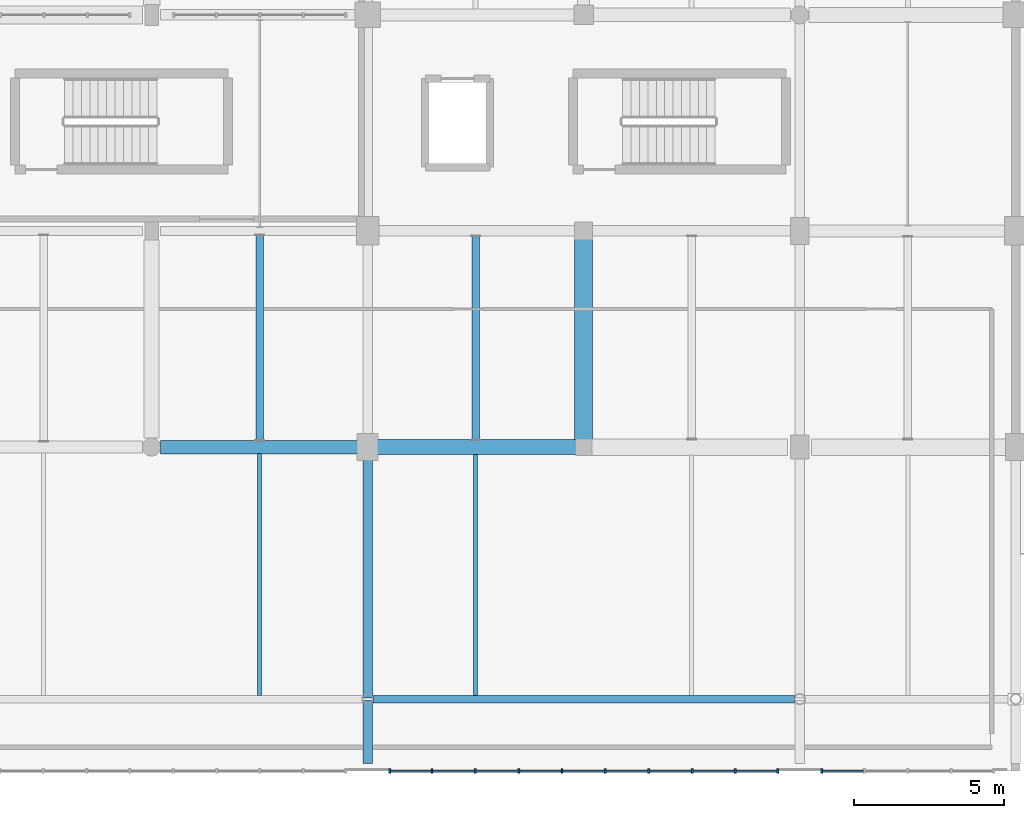
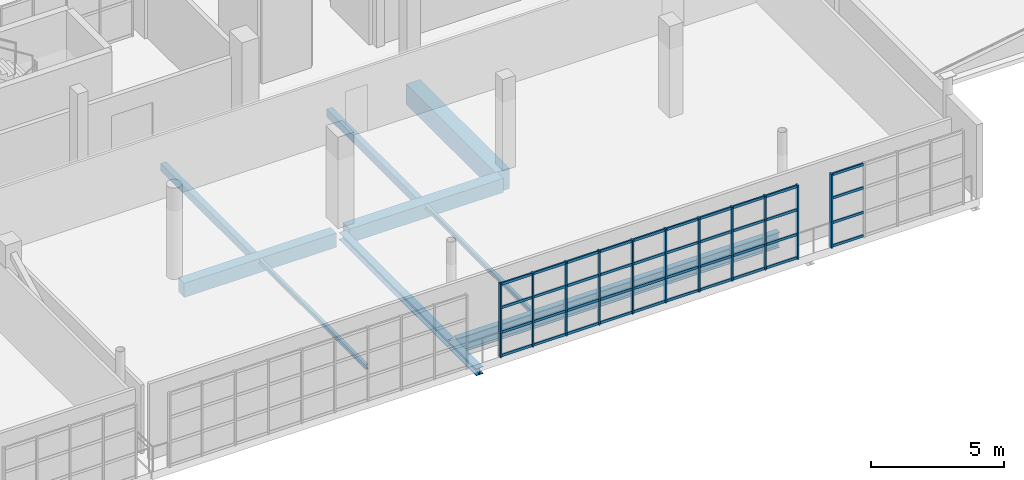
# One storey, part 33 of 90: 51 members, 10 beams, 2 elements without a shape of their own.
"""IFC4 building model written with IfcOpenShell, lengths in metres."""

from ifc_helpers import new_model, si_unit, direction, frame, origin, origin_2d, place, context, subcontext, project, spatial, rectangle, hollow_rectangle, i_section, extrude, material, material_profile, profile_set, type_object, element, aggregate, save


model = new_model("IFC4")

# Units and contexts
model_context = context("Model", 3, precision=1e-05, world=origin(), true_north=direction((0.0, 1.0)))
body_context = subcontext(model_context, "Body", "Model", "MODEL_VIEW")
ifc_project = project(units=[si_unit("LENGTHUNIT", "METRE"), si_unit("AREAUNIT", "SQUARE_METRE"), si_unit("VOLUMEUNIT", "CUBIC_METRE"), si_unit("PLANEANGLEUNIT", "RADIAN"), si_unit("MASSUNIT", "GRAM", prefix="KILO")], contexts=[model_context])

# Site, building, storey
site_placement = place(None, origin())
site = spatial("IfcSite", under=ifc_project, at=site_placement, CompositionType="ELEMENT")
building_placement = place(site_placement, origin())
building = spatial("IfcBuilding", under=site, at=building_placement, Name="Solanera Park Tramway Depot", CompositionType="ELEMENT")
storey_placement = place(building_placement, frame((0.0, 0.0, 9.0)))
storey = spatial("IfcBuildingStorey", under=building, at=storey_placement, Name="L02", CompositionType="ELEMENT", Elevation=9.0)

# Curtain wall, members
ifc_material_1 = material(Name="Bronze-anodised thermally broken aluminium curtain wall", Category="aluminium")
curtain_wall_type = type_object("IfcCurtainWallType", Name="Cantilevered OCC Inclined Glazing Wall", PredefinedType="NOTDEFINED", material=ifc_material_1)
curtain_wall_1_placement = place(storey_placement, origin())
curtain_wall_1 = element("IfcCurtainWall", 1, at=curtain_wall_1_placement, inside=storey, type_object=curtain_wall_type, Name="L02 Cantilevered OCC Inclined Glazing Wall #119", PredefinedType="NOTDEFINED")
ifc_material_2 = material(Name="Bronze-anodised structural aluminium 6063-T6", Category="aluminium")
ifc_material_profile_1 = material_profile(ifc_material_2, rectangle(XDim=0.06494140625, YDim=0.14990234375, at=origin_2d()), Name="Curtain Wall Mullion 65x150")
ifc_profile_set_1 = profile_set([ifc_material_profile_1], Name="Bronze-anodised structural aluminium 6063-T6")
member_type_1 = type_object("IfcMemberType", Name="Curtain Wall Mullion 65x150", PredefinedType="MULLION", material=ifc_profile_set_1)
member_1_placement = place(storey_placement, frame((166.33251953125, 0.0, 0.0), z_axis=(0.0, 0.0, 1.0), x_axis=(1.0, 0.0, 0.0)))
member_1 = element("IfcMember", 2, at=member_1_placement, type_object=member_type_1, Name="CW-L02-119 Mullion 1", PredefinedType="MULLION", context=body_context, shape_type="SweptSolid", body=[
    extrude(rectangle(XDim=0.06494140625, YDim=0.14990234375, at=origin_2d()), origin(), (0.0, 0.0, 1.0), 3.39990234375),
])
member_2_placement = place(storey_placement, frame((167.744384765625, 0.0, 0.0), z_axis=(0.0, 0.0, 1.0), x_axis=(1.0, 0.0, 0.0)))
member_2 = element("IfcMember", 3, at=member_2_placement, type_object=member_type_1, Name="CW-L02-119 Mullion 2", PredefinedType="MULLION", context=body_context, shape_type="SweptSolid", body=[
    extrude(rectangle(XDim=0.06494140625, YDim=0.14990234375, at=origin_2d()), origin(), (0.0, 0.0, 1.0), 3.39990234375),
])
member_3_placement = place(storey_placement, frame((169.18896484375, 0.0, 0.0), z_axis=(0.0, 0.0, 1.0), x_axis=(1.0, 0.0, 0.0)))
member_3 = element("IfcMember", 4, at=member_3_placement, type_object=member_type_1, Name="CW-L02-119 Mullion 3", PredefinedType="MULLION", context=body_context, shape_type="SweptSolid", body=[
    extrude(rectangle(XDim=0.06494140625, YDim=0.14990234375, at=origin_2d()), origin(), (0.0, 0.0, 1.0), 3.39990234375),
])
member_4_placement = place(storey_placement, frame((170.63330078125, 0.0, 0.0), z_axis=(0.0, 0.0, 1.0), x_axis=(1.0, 0.0, 0.0)))
member_4 = element("IfcMember", 5, at=member_4_placement, type_object=member_type_1, Name="CW-L02-119 Mullion 4", PredefinedType="MULLION", context=body_context, shape_type="SweptSolid", body=[
    extrude(rectangle(XDim=0.06494140625, YDim=0.14990234375, at=origin_2d()), origin(), (0.0, 0.0, 1.0), 3.39990234375),
])
member_5_placement = place(storey_placement, frame((172.077880859375, 0.0, 0.0), z_axis=(0.0, 0.0, 1.0), x_axis=(1.0, 0.0, 0.0)))
member_5 = element("IfcMember", 6, at=member_5_placement, type_object=member_type_1, Name="CW-L02-119 Mullion 5", PredefinedType="MULLION", context=body_context, shape_type="SweptSolid", body=[
    extrude(rectangle(XDim=0.06494140625, YDim=0.14990234375, at=origin_2d()), origin(), (0.0, 0.0, 1.0), 3.39990234375),
])
member_6_placement = place(storey_placement, frame((173.522216796875, 0.0, 0.0), z_axis=(0.0, 0.0, 1.0), x_axis=(1.0, 0.0, 0.0)))
member_6 = element("IfcMember", 7, at=member_6_placement, type_object=member_type_1, Name="CW-L02-119 Mullion 6", PredefinedType="MULLION", context=body_context, shape_type="SweptSolid", body=[
    extrude(rectangle(XDim=0.06494140625, YDim=0.14990234375, at=origin_2d()), origin(), (0.0, 0.0, 1.0), 3.39990234375),
])
member_7_placement = place(storey_placement, frame((174.966796875, 0.0, 0.0), z_axis=(0.0, 0.0, 1.0), x_axis=(1.0, 0.0, 0.0)))
member_7 = element("IfcMember", 8, at=member_7_placement, type_object=member_type_1, Name="CW-L02-119 Mullion 7", PredefinedType="MULLION", context=body_context, shape_type="SweptSolid", body=[
    extrude(rectangle(XDim=0.06494140625, YDim=0.14990234375, at=origin_2d()), origin(), (0.0, 0.0, 1.0), 3.39990234375),
])
member_8_placement = place(storey_placement, frame((176.4111328125, 0.0, 0.0), z_axis=(0.0, 0.0, 1.0), x_axis=(1.0, 0.0, 0.0)))
member_8 = element("IfcMember", 9, at=member_8_placement, type_object=member_type_1, Name="CW-L02-119 Mullion 8", PredefinedType="MULLION", context=body_context, shape_type="SweptSolid", body=[
    extrude(rectangle(XDim=0.06494140625, YDim=0.14990234375, at=origin_2d()), origin(), (0.0, 0.0, 1.0), 3.39990234375),
])
member_9_placement = place(storey_placement, frame((177.855712890625, 0.0, 0.0), z_axis=(0.0, 0.0, 1.0), x_axis=(1.0, 0.0, 0.0)))
member_9 = element("IfcMember", 10, at=member_9_placement, type_object=member_type_1, Name="CW-L02-119 Mullion 9", PredefinedType="MULLION", context=body_context, shape_type="SweptSolid", body=[
    extrude(rectangle(XDim=0.06494140625, YDim=0.14990234375, at=origin_2d()), origin(), (0.0, 0.0, 1.0), 3.39990234375),
])
member_10_placement = place(storey_placement, frame((179.267578125, 0.0, 0.0), z_axis=(0.0, 0.0, 1.0), x_axis=(1.0, 0.0, 0.0)))
member_10 = element("IfcMember", 11, at=member_10_placement, type_object=member_type_1, Name="CW-L02-119 Mullion 10", PredefinedType="MULLION", context=body_context, shape_type="SweptSolid", body=[
    extrude(rectangle(XDim=0.06494140625, YDim=0.14990234375, at=origin_2d()), origin(), (0.0, 0.0, 1.0), 3.39990234375),
])

# Curtain wall, member
curtain_wall_2_placement = place(storey_placement, origin())
curtain_wall_2 = element("IfcCurtainWall", 12, at=curtain_wall_2_placement, inside=storey, type_object=curtain_wall_type, Name="L02 Cantilevered OCC Inclined Glazing Wall #120", PredefinedType="NOTDEFINED")
member_11_placement = place(storey_placement, frame((180.732421875, 0.0, 0.0), z_axis=(0.0, 0.0, 1.0), x_axis=(1.0, 0.0, 0.0)))
member_11 = element("IfcMember", 13, at=member_11_placement, type_object=member_type_1, Name="CW-L02-120 Mullion 1", PredefinedType="MULLION", context=body_context, shape_type="SweptSolid", body=[
    extrude(rectangle(XDim=0.06494140625, YDim=0.14990234375, at=origin_2d()), origin(), (0.0, 0.0, 1.0), 3.39990234375),
])

# Member
ifc_material_3 = material(Name="Bronze-anodised structural aluminium 6063-T6", Category="aluminium")
ifc_material_profile_2 = material_profile(ifc_material_3, rectangle(XDim=0.06494140625, YDim=0.1201171875, at=origin_2d()), Name="Curtain Wall Transom 65x120")
ifc_profile_set_2 = profile_set([ifc_material_profile_2], Name="Bronze-anodised structural aluminium 6063-T6")
member_type_2 = type_object("IfcMemberType", Name="Curtain Wall Transom 65x120", PredefinedType="USERDEFINED", material=ifc_profile_set_2)
member_12_placement = place(storey_placement, frame((166.360595703125, 0.0, 0.06005859375), z_axis=(1.0, 0.0, 0.0), x_axis=(0.0, 1.0, 0.0)))
member_12 = element("IfcMember", 14, at=member_12_placement, type_object=member_type_2, Name="CW-L02-119 Transom R1.C1", ObjectType="TRANSOM", PredefinedType="USERDEFINED", context=body_context, shape_type="SweptSolid", body=[
    extrude(rectangle(XDim=0.06494140625, YDim=0.1201171875, at=origin_2d()), origin(), (0.0, 0.0, 1.0), 1.355712890625),
])

member_13_placement = place(storey_placement, frame((167.7724609375, 0.0, 0.06005859375), z_axis=(1.0, 0.0, 0.0), x_axis=(0.0, 1.0, 0.0)))
member_13 = element("IfcMember", 15, at=member_13_placement, type_object=member_type_2, Name="CW-L02-119 Transom R1.C2", ObjectType="TRANSOM", PredefinedType="USERDEFINED", context=body_context, shape_type="SweptSolid", body=[
    extrude(rectangle(XDim=0.06494140625, YDim=0.1201171875, at=origin_2d()), origin(), (0.0, 0.0, 1.0), 1.388427734375),
])

member_14_placement = place(storey_placement, frame((169.216796875, 0.0, 0.06005859375), z_axis=(1.0, 0.0, 0.0), x_axis=(0.0, 1.0, 0.0)))
member_14 = element("IfcMember", 16, at=member_14_placement, type_object=member_type_2, Name="CW-L02-119 Transom R1.C3", ObjectType="TRANSOM", PredefinedType="USERDEFINED", context=body_context, shape_type="SweptSolid", body=[
    extrude(rectangle(XDim=0.06494140625, YDim=0.1201171875, at=origin_2d()), origin(), (0.0, 0.0, 1.0), 1.388427734375),
])

member_15_placement = place(storey_placement, frame((170.661376953125, 0.0, 0.06005859375), z_axis=(1.0, 0.0, 0.0), x_axis=(0.0, 1.0, 0.0)))
member_15 = element("IfcMember", 17, at=member_15_placement, type_object=member_type_2, Name="CW-L02-119 Transom R1.C4", ObjectType="TRANSOM", PredefinedType="USERDEFINED", context=body_context, shape_type="SweptSolid", body=[
    extrude(rectangle(XDim=0.06494140625, YDim=0.1201171875, at=origin_2d()), origin(), (0.0, 0.0, 1.0), 1.388427734375),
])

member_16_placement = place(storey_placement, frame((172.105712890625, 0.0, 0.06005859375), z_axis=(1.0, 0.0, 0.0), x_axis=(0.0, 1.0, 0.0)))
member_16 = element("IfcMember", 18, at=member_16_placement, type_object=member_type_2, Name="CW-L02-119 Transom R1.C5", ObjectType="TRANSOM", PredefinedType="USERDEFINED", context=body_context, shape_type="SweptSolid", body=[
    extrude(rectangle(XDim=0.06494140625, YDim=0.1201171875, at=origin_2d()), origin(), (0.0, 0.0, 1.0), 1.388427734375),
])

member_17_placement = place(storey_placement, frame((173.55029296875, 0.0, 0.06005859375), z_axis=(1.0, 0.0, 0.0), x_axis=(0.0, 1.0, 0.0)))
member_17 = element("IfcMember", 19, at=member_17_placement, type_object=member_type_2, Name="CW-L02-119 Transom R1.C6", ObjectType="TRANSOM", PredefinedType="USERDEFINED", context=body_context, shape_type="SweptSolid", body=[
    extrude(rectangle(XDim=0.06494140625, YDim=0.1201171875, at=origin_2d()), origin(), (0.0, 0.0, 1.0), 1.388427734375),
])

member_18_placement = place(storey_placement, frame((174.99462890625, 0.0, 0.06005859375), z_axis=(1.0, 0.0, 0.0), x_axis=(0.0, 1.0, 0.0)))
member_18 = element("IfcMember", 20, at=member_18_placement, type_object=member_type_2, Name="CW-L02-119 Transom R1.C7", ObjectType="TRANSOM", PredefinedType="USERDEFINED", context=body_context, shape_type="SweptSolid", body=[
    extrude(rectangle(XDim=0.06494140625, YDim=0.1201171875, at=origin_2d()), origin(), (0.0, 0.0, 1.0), 1.388427734375),
])

member_19_placement = place(storey_placement, frame((176.439208984375, 0.0, 0.06005859375), z_axis=(1.0, 0.0, 0.0), x_axis=(0.0, 1.0, 0.0)))
member_19 = element("IfcMember", 21, at=member_19_placement, type_object=member_type_2, Name="CW-L02-119 Transom R1.C8", ObjectType="TRANSOM", PredefinedType="USERDEFINED", context=body_context, shape_type="SweptSolid", body=[
    extrude(rectangle(XDim=0.06494140625, YDim=0.1201171875, at=origin_2d()), origin(), (0.0, 0.0, 1.0), 1.388427734375),
])

member_20_placement = place(storey_placement, frame((177.883544921875, 0.0, 0.06005859375), z_axis=(1.0, 0.0, 0.0), x_axis=(0.0, 1.0, 0.0)))
member_20 = element("IfcMember", 22, at=member_20_placement, type_object=member_type_2, Name="CW-L02-119 Transom R1.C9", ObjectType="TRANSOM", PredefinedType="USERDEFINED", context=body_context, shape_type="SweptSolid", body=[
    extrude(rectangle(XDim=0.06494140625, YDim=0.1201171875, at=origin_2d()), origin(), (0.0, 0.0, 1.0), 1.35595703125),
])

member_21_placement = place(storey_placement, frame((166.360595703125, 0.0, 1.13330078125), z_axis=(1.0, 0.0, 0.0), x_axis=(0.0, 1.0, 0.0)))
member_21 = element("IfcMember", 23, at=member_21_placement, type_object=member_type_2, Name="CW-L02-119 Transom R2.C1", ObjectType="TRANSOM", PredefinedType="USERDEFINED", context=body_context, shape_type="SweptSolid", body=[
    extrude(rectangle(XDim=0.06494140625, YDim=0.1201171875, at=origin_2d()), origin(), (0.0, 0.0, 1.0), 1.355712890625),
])

member_22_placement = place(storey_placement, frame((167.7724609375, 0.0, 1.13330078125), z_axis=(1.0, 0.0, 0.0), x_axis=(0.0, 1.0, 0.0)))
member_22 = element("IfcMember", 24, at=member_22_placement, type_object=member_type_2, Name="CW-L02-119 Transom R2.C2", ObjectType="TRANSOM", PredefinedType="USERDEFINED", context=body_context, shape_type="SweptSolid", body=[
    extrude(rectangle(XDim=0.06494140625, YDim=0.1201171875, at=origin_2d()), origin(), (0.0, 0.0, 1.0), 1.388427734375),
])

member_23_placement = place(storey_placement, frame((169.216796875, 0.0, 1.13330078125), z_axis=(1.0, 0.0, 0.0), x_axis=(0.0, 1.0, 0.0)))
member_23 = element("IfcMember", 25, at=member_23_placement, type_object=member_type_2, Name="CW-L02-119 Transom R2.C3", ObjectType="TRANSOM", PredefinedType="USERDEFINED", context=body_context, shape_type="SweptSolid", body=[
    extrude(rectangle(XDim=0.06494140625, YDim=0.1201171875, at=origin_2d()), origin(), (0.0, 0.0, 1.0), 1.388427734375),
])

member_24_placement = place(storey_placement, frame((170.661376953125, 0.0, 1.13330078125), z_axis=(1.0, 0.0, 0.0), x_axis=(0.0, 1.0, 0.0)))
member_24 = element("IfcMember", 26, at=member_24_placement, type_object=member_type_2, Name="CW-L02-119 Transom R2.C4", ObjectType="TRANSOM", PredefinedType="USERDEFINED", context=body_context, shape_type="SweptSolid", body=[
    extrude(rectangle(XDim=0.06494140625, YDim=0.1201171875, at=origin_2d()), origin(), (0.0, 0.0, 1.0), 1.388427734375),
])

member_25_placement = place(storey_placement, frame((172.105712890625, 0.0, 1.13330078125), z_axis=(1.0, 0.0, 0.0), x_axis=(0.0, 1.0, 0.0)))
member_25 = element("IfcMember", 27, at=member_25_placement, type_object=member_type_2, Name="CW-L02-119 Transom R2.C5", ObjectType="TRANSOM", PredefinedType="USERDEFINED", context=body_context, shape_type="SweptSolid", body=[
    extrude(rectangle(XDim=0.06494140625, YDim=0.1201171875, at=origin_2d()), origin(), (0.0, 0.0, 1.0), 1.388427734375),
])

member_26_placement = place(storey_placement, frame((173.55029296875, 0.0, 1.13330078125), z_axis=(1.0, 0.0, 0.0), x_axis=(0.0, 1.0, 0.0)))
member_26 = element("IfcMember", 28, at=member_26_placement, type_object=member_type_2, Name="CW-L02-119 Transom R2.C6", ObjectType="TRANSOM", PredefinedType="USERDEFINED", context=body_context, shape_type="SweptSolid", body=[
    extrude(rectangle(XDim=0.06494140625, YDim=0.1201171875, at=origin_2d()), origin(), (0.0, 0.0, 1.0), 1.388427734375),
])

member_27_placement = place(storey_placement, frame((174.99462890625, 0.0, 1.13330078125), z_axis=(1.0, 0.0, 0.0), x_axis=(0.0, 1.0, 0.0)))
member_27 = element("IfcMember", 29, at=member_27_placement, type_object=member_type_2, Name="CW-L02-119 Transom R2.C7", ObjectType="TRANSOM", PredefinedType="USERDEFINED", context=body_context, shape_type="SweptSolid", body=[
    extrude(rectangle(XDim=0.06494140625, YDim=0.1201171875, at=origin_2d()), origin(), (0.0, 0.0, 1.0), 1.388427734375),
])

member_28_placement = place(storey_placement, frame((176.439208984375, 0.0, 1.13330078125), z_axis=(1.0, 0.0, 0.0), x_axis=(0.0, 1.0, 0.0)))
member_28 = element("IfcMember", 30, at=member_28_placement, type_object=member_type_2, Name="CW-L02-119 Transom R2.C8", ObjectType="TRANSOM", PredefinedType="USERDEFINED", context=body_context, shape_type="SweptSolid", body=[
    extrude(rectangle(XDim=0.06494140625, YDim=0.1201171875, at=origin_2d()), origin(), (0.0, 0.0, 1.0), 1.388427734375),
])

member_29_placement = place(storey_placement, frame((177.883544921875, 0.0, 1.13330078125), z_axis=(1.0, 0.0, 0.0), x_axis=(0.0, 1.0, 0.0)))
member_29 = element("IfcMember", 31, at=member_29_placement, type_object=member_type_2, Name="CW-L02-119 Transom R2.C9", ObjectType="TRANSOM", PredefinedType="USERDEFINED", context=body_context, shape_type="SweptSolid", body=[
    extrude(rectangle(XDim=0.06494140625, YDim=0.1201171875, at=origin_2d()), origin(), (0.0, 0.0, 1.0), 1.35595703125),
])

member_30_placement = place(storey_placement, frame((166.360595703125, 0.0, 2.2666015625), z_axis=(1.0, 0.0, 0.0), x_axis=(0.0, 1.0, 0.0)))
member_30 = element("IfcMember", 32, at=member_30_placement, type_object=member_type_2, Name="CW-L02-119 Transom R3.C1", ObjectType="TRANSOM", PredefinedType="USERDEFINED", context=body_context, shape_type="SweptSolid", body=[
    extrude(rectangle(XDim=0.06494140625, YDim=0.1201171875, at=origin_2d()), origin(), (0.0, 0.0, 1.0), 1.355712890625),
])

member_31_placement = place(storey_placement, frame((167.7724609375, 0.0, 2.2666015625), z_axis=(1.0, 0.0, 0.0), x_axis=(0.0, 1.0, 0.0)))
member_31 = element("IfcMember", 33, at=member_31_placement, type_object=member_type_2, Name="CW-L02-119 Transom R3.C2", ObjectType="TRANSOM", PredefinedType="USERDEFINED", context=body_context, shape_type="SweptSolid", body=[
    extrude(rectangle(XDim=0.06494140625, YDim=0.1201171875, at=origin_2d()), origin(), (0.0, 0.0, 1.0), 1.388427734375),
])

member_32_placement = place(storey_placement, frame((169.216796875, 0.0, 2.2666015625), z_axis=(1.0, 0.0, 0.0), x_axis=(0.0, 1.0, 0.0)))
member_32 = element("IfcMember", 34, at=member_32_placement, type_object=member_type_2, Name="CW-L02-119 Transom R3.C3", ObjectType="TRANSOM", PredefinedType="USERDEFINED", context=body_context, shape_type="SweptSolid", body=[
    extrude(rectangle(XDim=0.06494140625, YDim=0.1201171875, at=origin_2d()), origin(), (0.0, 0.0, 1.0), 1.388427734375),
])

member_33_placement = place(storey_placement, frame((170.661376953125, 0.0, 2.2666015625), z_axis=(1.0, 0.0, 0.0), x_axis=(0.0, 1.0, 0.0)))
member_33 = element("IfcMember", 35, at=member_33_placement, type_object=member_type_2, Name="CW-L02-119 Transom R3.C4", ObjectType="TRANSOM", PredefinedType="USERDEFINED", context=body_context, shape_type="SweptSolid", body=[
    extrude(rectangle(XDim=0.06494140625, YDim=0.1201171875, at=origin_2d()), origin(), (0.0, 0.0, 1.0), 1.388427734375),
])

member_34_placement = place(storey_placement, frame((172.105712890625, 0.0, 2.2666015625), z_axis=(1.0, 0.0, 0.0), x_axis=(0.0, 1.0, 0.0)))
member_34 = element("IfcMember", 36, at=member_34_placement, type_object=member_type_2, Name="CW-L02-119 Transom R3.C5", ObjectType="TRANSOM", PredefinedType="USERDEFINED", context=body_context, shape_type="SweptSolid", body=[
    extrude(rectangle(XDim=0.06494140625, YDim=0.1201171875, at=origin_2d()), origin(), (0.0, 0.0, 1.0), 1.388427734375),
])

member_35_placement = place(storey_placement, frame((173.55029296875, 0.0, 2.2666015625), z_axis=(1.0, 0.0, 0.0), x_axis=(0.0, 1.0, 0.0)))
member_35 = element("IfcMember", 37, at=member_35_placement, type_object=member_type_2, Name="CW-L02-119 Transom R3.C6", ObjectType="TRANSOM", PredefinedType="USERDEFINED", context=body_context, shape_type="SweptSolid", body=[
    extrude(rectangle(XDim=0.06494140625, YDim=0.1201171875, at=origin_2d()), origin(), (0.0, 0.0, 1.0), 1.388427734375),
])

member_36_placement = place(storey_placement, frame((174.99462890625, 0.0, 2.2666015625), z_axis=(1.0, 0.0, 0.0), x_axis=(0.0, 1.0, 0.0)))
member_36 = element("IfcMember", 38, at=member_36_placement, type_object=member_type_2, Name="CW-L02-119 Transom R3.C7", ObjectType="TRANSOM", PredefinedType="USERDEFINED", context=body_context, shape_type="SweptSolid", body=[
    extrude(rectangle(XDim=0.06494140625, YDim=0.1201171875, at=origin_2d()), origin(), (0.0, 0.0, 1.0), 1.388427734375),
])

member_37_placement = place(storey_placement, frame((176.439208984375, 0.0, 2.2666015625), z_axis=(1.0, 0.0, 0.0), x_axis=(0.0, 1.0, 0.0)))
member_37 = element("IfcMember", 39, at=member_37_placement, type_object=member_type_2, Name="CW-L02-119 Transom R3.C8", ObjectType="TRANSOM", PredefinedType="USERDEFINED", context=body_context, shape_type="SweptSolid", body=[
    extrude(rectangle(XDim=0.06494140625, YDim=0.1201171875, at=origin_2d()), origin(), (0.0, 0.0, 1.0), 1.388427734375),
])

member_38_placement = place(storey_placement, frame((177.883544921875, 0.0, 2.2666015625), z_axis=(1.0, 0.0, 0.0), x_axis=(0.0, 1.0, 0.0)))
member_38 = element("IfcMember", 40, at=member_38_placement, type_object=member_type_2, Name="CW-L02-119 Transom R3.C9", ObjectType="TRANSOM", PredefinedType="USERDEFINED", context=body_context, shape_type="SweptSolid", body=[
    extrude(rectangle(XDim=0.06494140625, YDim=0.1201171875, at=origin_2d()), origin(), (0.0, 0.0, 1.0), 1.35595703125),
])

member_39_placement = place(storey_placement, frame((166.360595703125, 0.0, 3.340087890625), z_axis=(1.0, 0.0, 0.0), x_axis=(0.0, 1.0, 0.0)))
member_39 = element("IfcMember", 41, at=member_39_placement, type_object=member_type_2, Name="CW-L02-119 Transom R4.C1", ObjectType="TRANSOM", PredefinedType="USERDEFINED", context=body_context, shape_type="SweptSolid", body=[
    extrude(rectangle(XDim=0.06494140625, YDim=0.1201171875, at=origin_2d()), origin(), (0.0, 0.0, 1.0), 1.355712890625),
])

member_40_placement = place(storey_placement, frame((167.7724609375, 0.0, 3.340087890625), z_axis=(1.0, 0.0, 0.0), x_axis=(0.0, 1.0, 0.0)))
member_40 = element("IfcMember", 42, at=member_40_placement, type_object=member_type_2, Name="CW-L02-119 Transom R4.C2", ObjectType="TRANSOM", PredefinedType="USERDEFINED", context=body_context, shape_type="SweptSolid", body=[
    extrude(rectangle(XDim=0.06494140625, YDim=0.1201171875, at=origin_2d()), origin(), (0.0, 0.0, 1.0), 1.388427734375),
])

member_41_placement = place(storey_placement, frame((169.216796875, 0.0, 3.340087890625), z_axis=(1.0, 0.0, 0.0), x_axis=(0.0, 1.0, 0.0)))
member_41 = element("IfcMember", 43, at=member_41_placement, type_object=member_type_2, Name="CW-L02-119 Transom R4.C3", ObjectType="TRANSOM", PredefinedType="USERDEFINED", context=body_context, shape_type="SweptSolid", body=[
    extrude(rectangle(XDim=0.06494140625, YDim=0.1201171875, at=origin_2d()), origin(), (0.0, 0.0, 1.0), 1.388427734375),
])

member_42_placement = place(storey_placement, frame((170.661376953125, 0.0, 3.340087890625), z_axis=(1.0, 0.0, 0.0), x_axis=(0.0, 1.0, 0.0)))
member_42 = element("IfcMember", 44, at=member_42_placement, type_object=member_type_2, Name="CW-L02-119 Transom R4.C4", ObjectType="TRANSOM", PredefinedType="USERDEFINED", context=body_context, shape_type="SweptSolid", body=[
    extrude(rectangle(XDim=0.06494140625, YDim=0.1201171875, at=origin_2d()), origin(), (0.0, 0.0, 1.0), 1.388427734375),
])

member_43_placement = place(storey_placement, frame((172.105712890625, 0.0, 3.340087890625), z_axis=(1.0, 0.0, 0.0), x_axis=(0.0, 1.0, 0.0)))
member_43 = element("IfcMember", 45, at=member_43_placement, type_object=member_type_2, Name="CW-L02-119 Transom R4.C5", ObjectType="TRANSOM", PredefinedType="USERDEFINED", context=body_context, shape_type="SweptSolid", body=[
    extrude(rectangle(XDim=0.06494140625, YDim=0.1201171875, at=origin_2d()), origin(), (0.0, 0.0, 1.0), 1.388427734375),
])

member_44_placement = place(storey_placement, frame((173.55029296875, 0.0, 3.340087890625), z_axis=(1.0, 0.0, 0.0), x_axis=(0.0, 1.0, 0.0)))
member_44 = element("IfcMember", 46, at=member_44_placement, type_object=member_type_2, Name="CW-L02-119 Transom R4.C6", ObjectType="TRANSOM", PredefinedType="USERDEFINED", context=body_context, shape_type="SweptSolid", body=[
    extrude(rectangle(XDim=0.06494140625, YDim=0.1201171875, at=origin_2d()), origin(), (0.0, 0.0, 1.0), 1.388427734375),
])

member_45_placement = place(storey_placement, frame((174.99462890625, 0.0, 3.340087890625), z_axis=(1.0, 0.0, 0.0), x_axis=(0.0, 1.0, 0.0)))
member_45 = element("IfcMember", 47, at=member_45_placement, type_object=member_type_2, Name="CW-L02-119 Transom R4.C7", ObjectType="TRANSOM", PredefinedType="USERDEFINED", context=body_context, shape_type="SweptSolid", body=[
    extrude(rectangle(XDim=0.06494140625, YDim=0.1201171875, at=origin_2d()), origin(), (0.0, 0.0, 1.0), 1.388427734375),
])

member_46_placement = place(storey_placement, frame((176.439208984375, 0.0, 3.340087890625), z_axis=(1.0, 0.0, 0.0), x_axis=(0.0, 1.0, 0.0)))
member_46 = element("IfcMember", 48, at=member_46_placement, type_object=member_type_2, Name="CW-L02-119 Transom R4.C8", ObjectType="TRANSOM", PredefinedType="USERDEFINED", context=body_context, shape_type="SweptSolid", body=[
    extrude(rectangle(XDim=0.06494140625, YDim=0.1201171875, at=origin_2d()), origin(), (0.0, 0.0, 1.0), 1.388427734375),
])

member_47_placement = place(storey_placement, frame((177.883544921875, 0.0, 3.340087890625), z_axis=(1.0, 0.0, 0.0), x_axis=(0.0, 1.0, 0.0)))
member_47 = element("IfcMember", 49, at=member_47_placement, type_object=member_type_2, Name="CW-L02-119 Transom R4.C9", ObjectType="TRANSOM", PredefinedType="USERDEFINED", context=body_context, shape_type="SweptSolid", body=[
    extrude(rectangle(XDim=0.06494140625, YDim=0.1201171875, at=origin_2d()), origin(), (0.0, 0.0, 1.0), 1.35595703125),
])

aggregate(curtain_wall_1, [member_1, member_2, member_3, member_4, member_5, member_6, member_7, member_8, member_9, member_10, member_12, member_13, member_14, member_15, member_16, member_17, member_18, member_19, member_20, member_21, member_22, member_23, member_24, member_25, member_26, member_27, member_28, member_29, member_30, member_31, member_32, member_33, member_34, member_35, member_36, member_37, member_38, member_39, member_40, member_41, member_42, member_43, member_44, member_45, member_46, member_47])

member_48_placement = place(storey_placement, frame((180.760498046875, 0.0, 0.06005859375), z_axis=(1.0, 0.0, 0.0), x_axis=(0.0, 1.0, 0.0)))
member_48 = element("IfcMember", 50, at=member_48_placement, type_object=member_type_2, Name="CW-L02-120 Transom R1.C1", ObjectType="TRANSOM", PredefinedType="USERDEFINED", context=body_context, shape_type="SweptSolid", body=[
    extrude(rectangle(XDim=0.06494140625, YDim=0.1201171875, at=origin_2d()), origin(), (0.0, 0.0, 1.0), 1.361572265625),
])

member_49_placement = place(storey_placement, frame((180.760498046875, 0.0, 1.13330078125), z_axis=(1.0, 0.0, 0.0), x_axis=(0.0, 1.0, 0.0)))
member_49 = element("IfcMember", 51, at=member_49_placement, type_object=member_type_2, Name="CW-L02-120 Transom R2.C1", ObjectType="TRANSOM", PredefinedType="USERDEFINED", context=body_context, shape_type="SweptSolid", body=[
    extrude(rectangle(XDim=0.06494140625, YDim=0.1201171875, at=origin_2d()), origin(), (0.0, 0.0, 1.0), 1.361572265625),
])

member_50_placement = place(storey_placement, frame((180.760498046875, 0.0, 2.2666015625), z_axis=(1.0, 0.0, 0.0), x_axis=(0.0, 1.0, 0.0)))
member_50 = element("IfcMember", 52, at=member_50_placement, type_object=member_type_2, Name="CW-L02-120 Transom R3.C1", ObjectType="TRANSOM", PredefinedType="USERDEFINED", context=body_context, shape_type="SweptSolid", body=[
    extrude(rectangle(XDim=0.06494140625, YDim=0.1201171875, at=origin_2d()), origin(), (0.0, 0.0, 1.0), 1.361572265625),
])

member_51_placement = place(storey_placement, frame((180.760498046875, 0.0, 3.340087890625), z_axis=(1.0, 0.0, 0.0), x_axis=(0.0, 1.0, 0.0)))
member_51 = element("IfcMember", 53, at=member_51_placement, type_object=member_type_2, Name="CW-L02-120 Transom R4.C1", ObjectType="TRANSOM", PredefinedType="USERDEFINED", context=body_context, shape_type="SweptSolid", body=[
    extrude(rectangle(XDim=0.06494140625, YDim=0.1201171875, at=origin_2d()), origin(), (0.0, 0.0, 1.0), 1.361572265625),
])

aggregate(curtain_wall_2, [member_11, member_48, member_49, member_50, member_51])

# Beams
ifc_material_4 = material(Name="Concrete N40 (C40/50)", Category="concrete")
ifc_material_profile_3 = material_profile(ifc_material_4, rectangle(XDim=0.449951171875, YDim=0.64990234375, at=origin_2d()), Name="RCB 450x650")
ifc_profile_set_3 = profile_set([ifc_material_profile_3], Name="Concrete N40 (C40/50)")
beam_type_1 = type_object("IfcBeamType", Name="RC Floor Beam RCB 450x650", PredefinedType="BEAM", material=ifc_profile_set_3)
beam_1_placement = place(storey_placement, frame((158.699951171875, 10.800048828125, -0.68896484375), z_axis=(1.0, 0.0, 0.0), x_axis=(0.0, 1.0, 0.0)))
element("IfcBeam", 54, at=beam_1_placement, inside=storey, type_object=beam_type_1, Name="L02 Primary X-Girder RCB 450x650 #0105", PredefinedType="BEAM", context=body_context, shape_type="SweptSolid", body=[
    extrude(rectangle(XDim=0.449951171875, YDim=0.64990234375, at=origin_2d()), origin(), (0.0, 0.0, 1.0), 6.625),
])
ifc_material_5 = material(Name="Concrete N40 (C40/50)", Category="concrete")
ifc_material_profile_4 = material_profile(ifc_material_5, rectangle(XDim=0.5, YDim=0.64990234375, at=origin_2d()), Name="RCB 500x650")
ifc_profile_set_4 = profile_set([ifc_material_profile_4], Name="Concrete N40 (C40/50)")
beam_type_2 = type_object("IfcBeamType", Name="RC Floor Beam RCB 500x650", PredefinedType="BEAM", material=ifc_profile_set_4)
beam_2_placement = place(storey_placement, frame((165.875, 10.800048828125, -0.68896484375), z_axis=(1.0, 0.0, 0.0), x_axis=(0.0, 1.0, 0.0)))
element("IfcBeam", 55, at=beam_2_placement, inside=storey, type_object=beam_type_2, Name="L02 Primary X-Girder RCB 500x650 #0106", PredefinedType="BEAM", context=body_context, shape_type="SweptSolid", body=[
    extrude(rectangle(XDim=0.5, YDim=0.64990234375, at=origin_2d()), origin(), (0.0, 0.0, 1.0), 6.699951171875),
])
ifc_material_6 = material(Name="Concrete N40 (C40/50)", Category="concrete")
ifc_material_profile_5 = material_profile(ifc_material_6, rectangle(XDim=0.60009765625, YDim=0.949951171875, at=origin_2d()), Name="RCB 600x950")
ifc_profile_set_5 = profile_set([ifc_material_profile_5], Name="Concrete N40 (C40/50)")
beam_type_3 = type_object("IfcBeamType", Name="RC Floor Beam RCB 600x950", PredefinedType="BEAM", material=ifc_profile_set_5)
beam_3_placement = place(storey_placement, frame((172.800048828125, 11.02490234375, -0.839111328125), z_axis=(0.0, 1.0, 0.0), x_axis=(-1.0, 0.0, 0.0)))
element("IfcBeam", 56, at=beam_3_placement, inside=storey, type_object=beam_type_3, Name="L02 Primary Y-Girder RCB 600x950 #0151", PredefinedType="BEAM", context=body_context, shape_type="SweptSolid", body=[
    extrude(rectangle(XDim=0.60009765625, YDim=0.949951171875, at=origin_2d()), origin(), (0.0, 0.0, 1.0), 6.72509765625),
])
ifc_material_7 = material(Name="Steel AS/NZS 3679.1 Grade 350", Category="steel")
ifc_material_profile_6 = material_profile(ifc_material_7, i_section(OverallWidth=0.310546875, OverallDepth=0.3271484375, WebThickness=0.015625, FlangeThickness=0.02490234375, at=origin_2d()), Name="310UC158")
ifc_profile_set_6 = profile_set([ifc_material_profile_6], Name="Steel AS/NZS 3679.1 Grade 350")
beam_type_4 = type_object("IfcBeamType", Name="Steel Beam 310UC158", PredefinedType="BEAM", material=ifc_profile_set_6)
beam_4_placement = place(storey_placement, frame((165.60009765625, 0.25, -0.550048828125), z_axis=(0.0, 1.0, 0.0), x_axis=(-1.0, 0.0, 0.0)))
element("IfcBeam", 57, at=beam_4_placement, inside=storey, type_object=beam_type_4, Name="L02 Transfer Truss Nose Cantilever 310UC158 #0330", PredefinedType="BEAM", context=body_context, shape_type="SweptSolid", body=[
    extrude(i_section(OverallWidth=0.310546875, OverallDepth=0.3271484375, WebThickness=0.015625, FlangeThickness=0.02490234375, at=origin_2d()), origin(), (0.0, 0.0, 1.0), 2.110107421875),
])
beam_5_placement = place(storey_placement, frame((165.60009765625, 2.43994140625, -0.550048828125), z_axis=(0.0, 1.0, 0.0), x_axis=(-1.0, 0.0, 0.0)))
element("IfcBeam", 58, at=beam_5_placement, inside=storey, type_object=beam_type_4, Name="L02 Transfer Truss Overhang Chord 310UC158 #0331", PredefinedType="BEAM", context=body_context, shape_type="SweptSolid", body=[
    extrude(i_section(OverallWidth=0.310546875, OverallDepth=0.3271484375, WebThickness=0.015625, FlangeThickness=0.02490234375, at=origin_2d()), origin(), (0.0, 0.0, 1.0), 8.16015625),
])
ifc_material_8 = material(Name="Steel AS/NZS 3679.1 Grade 350", Category="steel")
ifc_material_profile_7 = material_profile(ifc_material_8, i_section(OverallWidth=0.25, OverallDepth=0.699951171875, WebThickness=0.010009765625, FlangeThickness=0.02001953125, at=origin_2d()), Name="700WB130")
ifc_profile_set_7 = profile_set([ifc_material_profile_7], Name="Steel AS/NZS 3679.1 Grade 350")
beam_type_5 = type_object("IfcBeamType", Name="Steel Beam 700WB130", PredefinedType="BEAM", material=ifc_profile_set_7)
beam_6_placement = place(storey_placement, frame((165.780029296875, 2.39990234375, -0.715087890625), z_axis=(1.0, 0.0, 0.0), x_axis=(0.0, 1.0, 0.0)))
element("IfcBeam", 59, at=beam_6_placement, inside=storey, type_object=beam_type_5, Name="L02 Head-Block Transfer Tie Girder 700WB130 #0363", PredefinedType="BEAM", context=body_context, shape_type="SweptSolid", body=[
    extrude(i_section(OverallWidth=0.25, OverallDepth=0.699951171875, WebThickness=0.010009765625, FlangeThickness=0.02001953125, at=origin_2d()), origin(), (0.0, 0.0, 1.0), 14.0400390625),
])
ifc_material_9 = material(Name="Steel AS/NZS 3679.1 Grade 350", Category="steel")
ifc_material_profile_8 = material_profile(ifc_material_9, i_section(OverallWidth=0.13330078125, OverallDepth=0.203125, WebThickness=0.005859375, FlangeThickness=0.0078125, at=origin_2d()), Name="200UB25.4")
ifc_profile_set_8 = profile_set([ifc_material_profile_8], Name="Steel AS/NZS 3679.1 Grade 350")
beam_type_6 = type_object("IfcBeamType", Name="Steel Joist Purlin 200UB25.4", PredefinedType="JOIST", material=ifc_profile_set_8)
beam_7_placement = place(storey_placement, frame((162.0, 2.51708984375, -0.465576171875), z_axis=(0.0, 1.0, 0.0), x_axis=(-1.0, 0.0, 0.0)))
element("IfcBeam", 60, at=beam_7_placement, inside=storey, type_object=beam_type_6, Name="L02 Secondary Floor Joist 200UB25.4 #0167", PredefinedType="JOIST", context=body_context, shape_type="SweptSolid", body=[
    extrude(i_section(OverallWidth=0.13330078125, OverallDepth=0.203125, WebThickness=0.005859375, FlangeThickness=0.0078125, at=origin_2d()), origin(), (0.0, 0.0, 1.0), 8.06591796875),
])
beam_8_placement = place(storey_placement, frame((169.199951171875, 2.51708984375, -0.465576171875), z_axis=(0.0, 1.0, 0.0), x_axis=(-1.0, 0.0, 0.0)))
element("IfcBeam", 61, at=beam_8_placement, inside=storey, type_object=beam_type_6, Name="L02 Secondary Floor Joist 200UB25.4 #0168", PredefinedType="JOIST", context=body_context, shape_type="SweptSolid", body=[
    extrude(i_section(OverallWidth=0.13330078125, OverallDepth=0.203125, WebThickness=0.005859375, FlangeThickness=0.0078125, at=origin_2d()), origin(), (0.0, 0.0, 1.0), 8.041015625),
])
ifc_material_10 = material(Name="Steel AS/NZS 1163 Grade C350L0", Category="steel")
ifc_material_profile_9 = material_profile(ifc_material_10, hollow_rectangle(XDim=0.25, YDim=0.35009765625, WallThickness=0.010009765625, at=origin_2d()), Name="350x250x10.0 RHS")
ifc_profile_set_9 = profile_set([ifc_material_profile_9], Name="Steel AS/NZS 1163 Grade C350L0")
beam_type_7 = type_object("IfcBeamType", Name="Steel Joist Purlin 350x250x10.0 RHS", PredefinedType="JOIST", material=ifc_profile_set_9)
beam_9_placement = place(storey_placement, frame((162.0, 11.01708984375, -0.5390625), z_axis=(0.0, 1.0, 0.0), x_axis=(-1.0, 0.0, 0.0)))
element("IfcBeam", 62, at=beam_9_placement, inside=storey, type_object=beam_type_7, Name="L02 Secondary Floor Joist 350x250x10.0 RHS #0178", PredefinedType="JOIST", context=body_context, shape_type="SweptSolid", body=[
    extrude(hollow_rectangle(XDim=0.25, YDim=0.35009765625, WallThickness=0.010009765625, at=origin_2d()), origin(), (0.0, 0.0, 1.0), 6.8408203125),
])
beam_10_placement = place(storey_placement, frame((169.199951171875, 11.0419921875, -0.5390625), z_axis=(0.0, 1.0, 0.0), x_axis=(-1.0, 0.0, 0.0)))
element("IfcBeam", 63, at=beam_10_placement, inside=storey, type_object=beam_type_7, Name="L02 Secondary Floor Joist 350x250x10.0 RHS #0179", PredefinedType="JOIST", context=body_context, shape_type="SweptSolid", body=[
    extrude(hollow_rectangle(XDim=0.25, YDim=0.35009765625, WallThickness=0.010009765625, at=origin_2d()), origin(), (0.0, 0.0, 1.0), 6.791015625),
])

save(model, "model.ifc")
